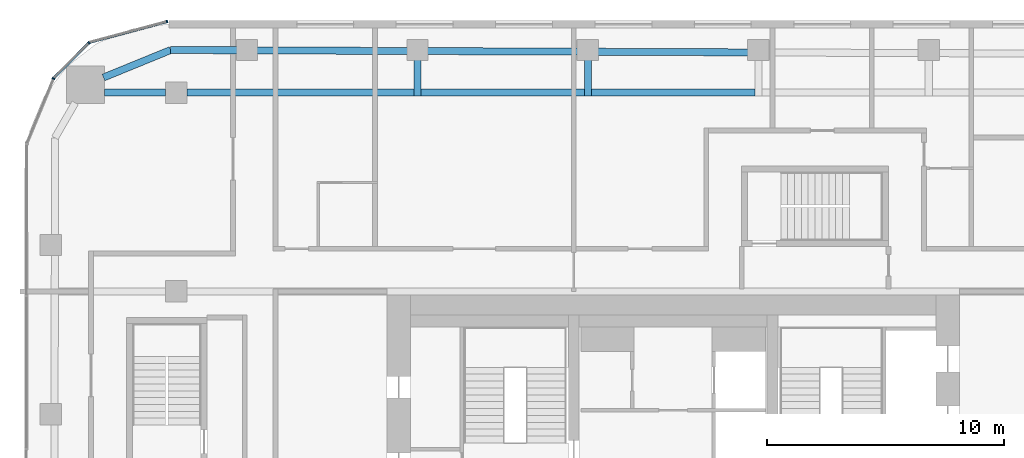
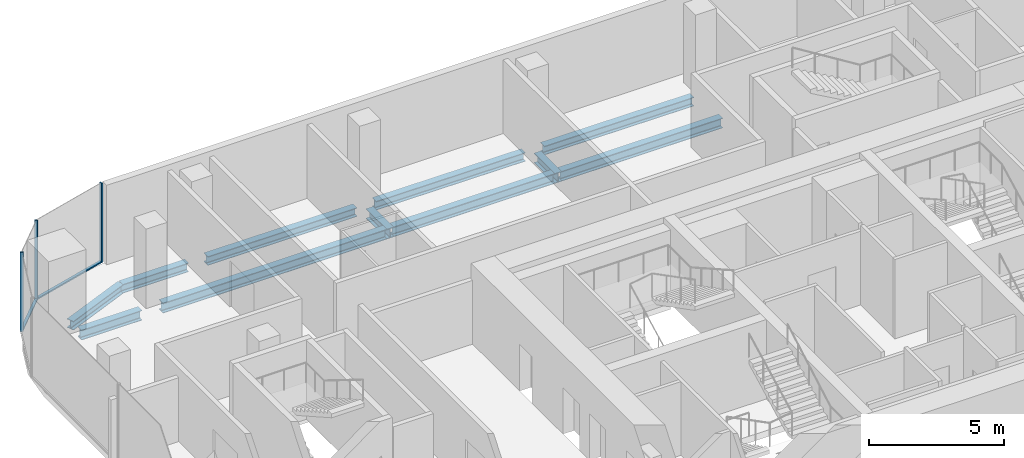
# One storey, part 10 of 23: 11 beams, 5 members, 3 elements without a shape of their own.
"""IFC4 building model written with IfcOpenShell, lengths in metres."""

import ifcopenshell
import ifcopenshell.guid

model = None  # the IFC model being written
_history = None  # IfcOwnerHistory: only IFC2X3 demands one
_inside = {}  # id of a spatial element -> (the spatial element, [elements in it])
_under = {}  # id of a project, library or spatial element -> (it, [spatial elements below it])
_declared = {}  # id of a project -> (the project, [libraries it declares])
_typed = {}  # id of a type object -> (the type object, [elements of that type])
_made_of = {}  # id of a material, layer set ... -> (it, [elements and type objects made of it])


def new_model(schema):
    """Start an empty IFC model of exactly this schema.

    Asked for "IFC4X3", IfcOpenShell would pick the latest addendum, in which some entities
    have other attributes; the version numbers below select the first issue.
    IFC2X3 requires an IfcOwnerHistory on every rooted entity: one is made here for all.
    """
    global model, _history
    if schema == "IFC4X3":
        model = ifcopenshell.file(schema_version=(4, 3, 0, 0))
    else:
        model = ifcopenshell.file(schema=schema)
    _inside.clear()
    _under.clear()
    _declared.clear()
    _typed.clear()
    _made_of.clear()
    _history = None
    if model.schema == "IFC2X3":
        org = make("IfcOrganization", Name="unknown")
        user = make(
            "IfcPersonAndOrganization",
            ThePerson=make("IfcPerson", FamilyName="unknown"),
            TheOrganization=org,
        )
        app = make(
            "IfcApplication",
            ApplicationDeveloper=org,
            Version="unknown",
            ApplicationFullName="unknown",
            ApplicationIdentifier="unknown",
        )
        _history = make(
            "IfcOwnerHistory",
            OwningUser=user,
            OwningApplication=app,
            ChangeAction="ADDED",
            CreationDate=0,
        )
    return model


def make(cls, **values):
    """One entity of the class cls with the attributes given. An attribute that is None is left unset."""
    return model.create_entity(
        cls, **{name: value for name, value in values.items() if value is not None}
    )


def rooted(cls, **values):
    """An entity with a GlobalId (a new one), such as an element, a storey or a relation."""
    return make(cls, GlobalId=ifcopenshell.guid.new(), OwnerHistory=_history, **values)


def si_unit(unit_type, name, prefix=None):
    """IfcSIUnit, for example si_unit("LENGTHUNIT", "METRE", prefix="MILLI")."""
    return make("IfcSIUnit", UnitType=unit_type, Prefix=prefix, Name=name)


def assignment(units):
    """IfcUnitAssignment: the units of a project."""
    return None if units is None else make("IfcUnitAssignment", Units=units)


def point(xyz):
    """IfcCartesianPoint."""
    return None if xyz is None else make("IfcCartesianPoint", Coordinates=xyz)


def direction(xyz):
    """IfcDirection."""
    return None if xyz is None else make("IfcDirection", DirectionRatios=xyz)


def frame(location, z_axis=None, x_axis=None):
    """IfcAxis2Placement3D, a coordinate frame: its origin and axes. An axis left out is left unset."""
    return make(
        "IfcAxis2Placement3D",
        Location=point(location),
        Axis=direction(z_axis),
        RefDirection=direction(x_axis),
    )


def frame_2d(location, x_axis=None):
    """IfcAxis2Placement2D, a coordinate frame in the plane: its origin and x axis."""
    return make(
        "IfcAxis2Placement2D", Location=point(location), RefDirection=direction(x_axis)
    )


def origin():
    """The frame at (0, 0, 0) with its axes left unset."""
    return frame((0.0, 0.0, 0.0))


def origin_2d():
    """The frame at (0, 0) in the plane with its x axis left unset."""
    return frame_2d((0.0, 0.0))


def place(relative_to, where):
    """IfcLocalPlacement: puts the frame where relative to a parent placement (None: the world)."""
    return make(
        "IfcLocalPlacement", PlacementRelTo=relative_to, RelativePlacement=where
    )


def context(
    kind, dimensions, precision=None, world=None, true_north=None, identifier=None
):
    """IfcGeometricRepresentationContext, for example the 3D "Model" context."""
    return make(
        "IfcGeometricRepresentationContext",
        ContextIdentifier=identifier,
        ContextType=kind,
        CoordinateSpaceDimension=dimensions,
        Precision=precision,
        WorldCoordinateSystem=world,
        TrueNorth=true_north,
    )


def subcontext(parent, identifier, kind, view, scale=None):
    """IfcGeometricRepresentationSubContext, for example "Body" below "Model"."""
    return make(
        "IfcGeometricRepresentationSubContext",
        ContextIdentifier=identifier,
        ContextType=kind,
        ParentContext=parent,
        TargetScale=scale,
        TargetView=view,
    )


def project(units=None, contexts=None):
    """IfcProject with its units and contexts."""
    return rooted(
        "IfcProject",
        Name="project",
        RepresentationContexts=contexts,
        UnitsInContext=assignment(units),
    )


def spatial(cls, under=None, at=None, **own):
    """A site, building, storey or space (cls), placed at a placement, below another one or the project."""
    s = rooted(cls, ObjectPlacement=at, **own)
    if under is not None:
        _under.setdefault(under.id(), (under, []))[1].append(s)
    return s


def profile(cls, at=None, kind="AREA", **sizes):
    """A parametric profile (cls). Its sizes go by their IFC names, for example OverallWidth=200.0."""
    return make(cls, ProfileType=kind, Position=at, **sizes)


def rectangle(**sizes):
    """IfcRectangleProfileDef."""
    return profile("IfcRectangleProfileDef", **sizes)


def i_section(**sizes):
    """IfcIShapeProfileDef."""
    return profile("IfcIShapeProfileDef", **sizes)


def extrude(swept, where, along, depth):
    """IfcExtrudedAreaSolid: the profile swept, set in the frame where, extruded along a direction by depth."""
    return make(
        "IfcExtrudedAreaSolid",
        SweptArea=swept,
        Position=where,
        ExtrudedDirection=direction(along),
        Depth=depth,
    )


def shape(context_of_items, identifier, shape_type, items):
    """IfcShapeRepresentation: the items that make up one representation, for example the "Body"."""
    return make(
        "IfcShapeRepresentation",
        ContextOfItems=context_of_items,
        RepresentationIdentifier=identifier,
        RepresentationType=shape_type,
        Items=items,
    )


def material(Name=None, Category=None):
    """IfcMaterial."""
    return make("IfcMaterial", Name=Name, Category=Category)


def layer(
    of_material, thickness, ventilated=None, Name=None, Category=None, Priority=None
):
    """IfcMaterialLayer: one layer of a wall or slab, of a material (None: an air gap)."""
    return make(
        "IfcMaterialLayer",
        Material=of_material,
        LayerThickness=thickness,
        IsVentilated=ventilated,
        Name=Name,
        Category=Category,
        Priority=Priority,
    )


def layer_set(layers, Name=None):
    """IfcMaterialLayerSet."""
    return make("IfcMaterialLayerSet", MaterialLayers=layers, LayerSetName=Name)


def material_profile(
    of_material, cross_section, Name=None, Category=None, Priority=None
):
    """IfcMaterialProfile: a cross section and its material."""
    return make(
        "IfcMaterialProfile",
        Name=Name,
        Material=of_material,
        Profile=cross_section,
        Priority=Priority,
        Category=Category,
    )


def profile_set(profiles, Name=None, composite=None):
    """IfcMaterialProfileSet."""
    return make(
        "IfcMaterialProfileSet",
        Name=Name,
        MaterialProfiles=profiles,
        CompositeProfile=composite,
    )


def made_of(thing, what):
    """Note that an element or type object is made of a material, layer set ...; save() writes the relation."""
    if what is not None:
        _made_of.setdefault(what.id(), (what, []))[1].append(thing)
    return thing


def type_object(cls, material=None, **own):
    """A type object (cls), such as IfcWallType, which elements share."""
    return made_of(rooted(cls, **own), material)


def element(
    cls,
    number,
    at=None,
    inside=None,
    cuts=None,
    type_object=None,
    material=None,
    context=None,
    identifier="Body",
    shape_type=None,
    held_by="IfcProductDefinitionShape",
    body=None,
    shapes=None,
    **own,
):
    """One element of the class cls, such as IfcWall. Its Tag is "e" and its number.

    at: its placement. inside: the storey or other place that contains it. cuts: it is an
    opening in that element (IfcRelVoidsElement). A single representation is given by context,
    identifier, shape_type and body (its items); several are given by shapes. held_by: the class
    of the entity that holds the representations. save() writes the other relations.
    """
    e = rooted(cls, Tag="e%d" % number, ObjectPlacement=at, **own)
    if body is not None:
        shapes = [shape(context, identifier, shape_type, body)]
    if shapes is not None:
        e.Representation = make(held_by, Representations=shapes)
    if inside is not None:
        _inside.setdefault(inside.id(), (inside, []))[1].append(e)
    if cuts is not None:
        rooted(
            "IfcRelVoidsElement", RelatingBuildingElement=cuts, RelatedOpeningElement=e
        )
    if type_object is not None:
        _typed.setdefault(type_object.id(), (type_object, []))[1].append(e)
    return made_of(e, material)


def aggregate(whole, parts):
    """IfcRelAggregates: a whole, such as a stair, and the parts it consists of."""
    return rooted("IfcRelAggregates", RelatingObject=whole, RelatedObjects=parts)


def save(model, path):
    """Write the relations noted so far, then the file.

    IfcRelAggregates (storeys below a building ...), IfcRelContainedInSpatialStructure (elements
    in a storey), IfcRelDefinesByType, IfcRelAssociatesMaterial and IfcRelDeclares: one each for
    every whole, place, type object, material and project.
    """
    for whole, parts in _under.values():
        aggregate(whole, parts)
    for where, things in _inside.values():
        rooted(
            "IfcRelContainedInSpatialStructure",
            RelatedElements=things,
            RelatingStructure=where,
        )
    for kind, things in _typed.values():
        rooted("IfcRelDefinesByType", RelatedObjects=things, RelatingType=kind)
    for what, things in _made_of.values():
        rooted("IfcRelAssociatesMaterial", RelatedObjects=things, RelatingMaterial=what)
    for by, libraries in _declared.values():
        rooted("IfcRelDeclares", RelatingContext=by, RelatedDefinitions=libraries)
    model.write(path)


model = new_model("IFC4")

# Units and contexts
model_context = context("Model", 3, precision=1e-05, world=origin(), true_north=direction((0.0, 1.0)))
body_context = subcontext(model_context, "Body", "Model", "MODEL_VIEW")
ifc_project = project(units=[si_unit("LENGTHUNIT", "METRE"), si_unit("AREAUNIT", "SQUARE_METRE"), si_unit("VOLUMEUNIT", "CUBIC_METRE"), si_unit("PLANEANGLEUNIT", "RADIAN"), si_unit("MASSUNIT", "GRAM", prefix="KILO")], contexts=[model_context])

# Site, building, storey
site_placement = place(None, origin())
site = spatial("IfcSite", under=ifc_project, at=site_placement, CompositionType="ELEMENT")
building_placement = place(site_placement, origin())
building = spatial("IfcBuilding", under=site, at=building_placement, Name="Marenta Gate Hotel Tower", CompositionType="ELEMENT")
storey_placement = place(building_placement, frame((0.0, 0.0, 155.300048828125)))
storey = spatial("IfcBuildingStorey", under=building, at=storey_placement, Name="L36", CompositionType="ELEMENT", Elevation=155.300048828125)

# Beams
ifc_material_1 = material(Name="Steel S355", Category="steel")
ifc_material_profile_1 = material_profile(ifc_material_1, i_section(OverallWidth=0.300048828125, OverallDepth=0.39990234375, WebThickness=0.013427734375, FlangeThickness=0.02392578125, FilletRadius=0.027099609375, at=origin_2d()), Name="HEB 400")
ifc_profile_set_1 = profile_set([ifc_material_profile_1], Name="Steel S355")
beam_type_1 = type_object("IfcBeamType", Name="Edge beam HEB 400", PredefinedType="SPANDREL", material=ifc_profile_set_1)
beam_1_placement = place(storey_placement, frame((-24.072509765625, 25.839111328125, -0.4599609375), z_axis=(0.925565978946, 0.378586342356, 0.0), x_axis=(-0.378586342356, 0.925565978946, 0.0)))
element("IfcBeam", 1, at=beam_1_placement, inside=storey, type_object=beam_type_1, Name="L36-EB-12", PredefinedType="SPANDREL", context=body_context, shape_type="SweptSolid", body=[
    extrude(i_section(OverallWidth=0.300048828125, OverallDepth=0.39990234375, WebThickness=0.013427734375, FlangeThickness=0.02392578125, FilletRadius=0.027099609375, at=origin_2d()), origin(), (0.0, 0.0, 1.0), 3.06640625),
])
beam_2_placement = place(storey_placement, frame((-21.234375, 27.0, -0.4599609375), z_axis=(0.999991706293, -0.004072756516, 0.0), x_axis=(0.004072756516, 0.999991706293, 0.0)))
element("IfcBeam", 2, at=beam_2_placement, inside=storey, type_object=beam_type_1, Name="L36-EB-13", PredefinedType="SPANDREL", context=body_context, shape_type="SweptSolid", body=[
    extrude(i_section(OverallWidth=0.300048828125, OverallDepth=0.39990234375, WebThickness=0.013427734375, FlangeThickness=0.02392578125, FilletRadius=0.027099609375, at=origin_2d()), origin(), (0.0, 0.0, 1.0), 2.8173828125),
])
beam_3_placement = place(storey_placement, frame((-17.596923828125, 26.985107421875, -0.4599609375), z_axis=(0.999991780748, -0.00405443424, 0.0), x_axis=(0.00405443424, 0.999991780748, 0.0)))
element("IfcBeam", 3, at=beam_3_placement, inside=storey, type_object=beam_type_1, Name="L36-EB-14", PredefinedType="SPANDREL", context=body_context, shape_type="SweptSolid", body=[
    extrude(i_section(OverallWidth=0.300048828125, OverallDepth=0.39990234375, WebThickness=0.013427734375, FlangeThickness=0.02392578125, FilletRadius=0.027099609375, at=origin_2d()), origin(), (0.0, 0.0, 1.0), 6.3828125),
])
beam_4_placement = place(storey_placement, frame((-10.39404296875, 26.955810546875, -0.4599609375), z_axis=(0.999991624297, -0.004092839529, 0.0), x_axis=(0.004092839529, 0.999991624297, 0.0)))
element("IfcBeam", 4, at=beam_4_placement, inside=storey, type_object=beam_type_1, Name="L36-EB-15", PredefinedType="SPANDREL", context=body_context, shape_type="SweptSolid", body=[
    extrude(i_section(OverallWidth=0.300048828125, OverallDepth=0.39990234375, WebThickness=0.013427734375, FlangeThickness=0.02392578125, FilletRadius=0.027099609375, at=origin_2d()), origin(), (0.0, 0.0, 1.0), 6.382568359375),
])
beam_5_placement = place(storey_placement, frame((-3.19140625, 26.926513671875, -0.4599609375), z_axis=(0.999991624938, -0.004092682982, 0.0), x_axis=(0.004092682982, 0.999991624938, 0.0)))
element("IfcBeam", 5, at=beam_5_placement, inside=storey, type_object=beam_type_1, Name="L36-EB-16", PredefinedType="SPANDREL", context=body_context, shape_type="SweptSolid", body=[
    extrude(i_section(OverallWidth=0.300048828125, OverallDepth=0.39990234375, WebThickness=0.013427734375, FlangeThickness=0.02392578125, FilletRadius=0.027099609375, at=origin_2d()), origin(), (0.0, 0.0, 1.0), 6.3828125),
])
ifc_material_2 = material(Name="Steel S355", Category="steel")
ifc_material_profile_2 = material_profile(ifc_material_2, i_section(OverallWidth=0.300048828125, OverallDepth=0.449951171875, WebThickness=0.013916015625, FlangeThickness=0.02587890625, FilletRadius=0.027099609375, at=origin_2d()), Name="HEB 450")
ifc_profile_set_2 = profile_set([ifc_material_profile_2], Name="Steel S355")
beam_type_2 = type_object("IfcBeamType", Name="Girder HEB 450", PredefinedType="BEAM", material=ifc_profile_set_2)
beam_6_placement = place(storey_placement, frame((-24.035400390625, 25.199951171875, -0.485107421875), z_axis=(1.0, 0.0, 0.0), x_axis=(0.0, 1.0, 0.0)))
element("IfcBeam", 6, at=beam_6_placement, inside=storey, type_object=beam_type_2, Name="L36-GD-29", PredefinedType="BEAM", context=body_context, shape_type="SweptSolid", body=[
    extrude(i_section(OverallWidth=0.300048828125, OverallDepth=0.449951171875, WebThickness=0.013916015625, FlangeThickness=0.02587890625, FilletRadius=0.027099609375, at=origin_2d()), origin(), (0.0, 0.0, 1.0), 2.58544921875),
])
beam_7_placement = place(storey_placement, frame((-20.550048828125, 25.199951171875, -0.485107421875), z_axis=(1.0, 0.0, 0.0), x_axis=(0.0, 1.0, 0.0)))
element("IfcBeam", 7, at=beam_7_placement, inside=storey, type_object=beam_type_2, Name="L36-GD-30", PredefinedType="BEAM", context=body_context, shape_type="SweptSolid", body=[
    extrude(i_section(OverallWidth=0.300048828125, OverallDepth=0.449951171875, WebThickness=0.013916015625, FlangeThickness=0.02587890625, FilletRadius=0.027099609375, at=origin_2d()), origin(), (0.0, 0.0, 1.0), 9.595947265625),
])
beam_8_placement = place(storey_placement, frame((-10.654052734375, 25.199951171875, -0.485107421875), z_axis=(1.0, 0.0, 0.0), x_axis=(0.0, 1.0, 0.0)))
element("IfcBeam", 8, at=beam_8_placement, inside=storey, type_object=beam_type_2, Name="L36-GD-31", PredefinedType="BEAM", context=body_context, shape_type="SweptSolid", body=[
    extrude(i_section(OverallWidth=0.300048828125, OverallDepth=0.449951171875, WebThickness=0.013916015625, FlangeThickness=0.02587890625, FilletRadius=0.027099609375, at=origin_2d()), origin(), (0.0, 0.0, 1.0), 6.902587890625),
])
beam_9_placement = place(storey_placement, frame((-3.451416015625, 25.199951171875, -0.485107421875), z_axis=(1.0, 0.0, 0.0), x_axis=(0.0, 1.0, 0.0)))
element("IfcBeam", 9, at=beam_9_placement, inside=storey, type_object=beam_type_2, Name="L36-GD-32", PredefinedType="BEAM", context=body_context, shape_type="SweptSolid", body=[
    extrude(i_section(OverallWidth=0.300048828125, OverallDepth=0.449951171875, WebThickness=0.013916015625, FlangeThickness=0.02587890625, FilletRadius=0.027099609375, at=origin_2d()), origin(), (0.0, 0.0, 1.0), 6.90283203125),
])
ifc_material_3 = material(Name="Steel S355", Category="steel")
ifc_material_profile_3 = material_profile(ifc_material_3, i_section(OverallWidth=0.300048828125, OverallDepth=0.449951171875, WebThickness=0.013916015625, FlangeThickness=0.02587890625, FilletRadius=0.027099609375, at=origin_2d()), Name="HEB 450")
ifc_profile_set_3 = profile_set([ifc_material_profile_3], Name="Steel S355")
beam_type_3 = type_object("IfcBeamType", Name="Girder bracket HEB 450", PredefinedType="BEAM", material=ifc_profile_set_3)
for number, where, z_axis, x_axis, name in (
    (10, (-10.80419921875, 25.050048828125, -0.485107421875), (0.0, 1.0, 0.0), (-1.0, 0.0, 0.0), "L36-GS-1"),
    (11, (-3.601318359375, 25.050048828125, -0.485107421875), (0.0, 1.0, 0.0), (-1.0, 0.0, 0.0), "L36-GS-2"),
):
    element("IfcBeam", number, at=place(storey_placement, frame(where, z_axis=z_axis, x_axis=x_axis)), inside=storey, type_object=beam_type_3, Name=name, PredefinedType="BEAM", context=body_context, shape_type="SweptSolid", body=[
        extrude(i_section(OverallWidth=0.300048828125, OverallDepth=0.449951171875, WebThickness=0.013916015625, FlangeThickness=0.02587890625, FilletRadius=0.027099609375, at=origin_2d()), origin(), (0.0, 0.0, 1.0), 1.5400390625),
    ])

# Curtain wall, member
ifc_material_4 = material(Name="Tinted insulated glass in bronze anodised frame", Category="glass")
ifc_layer = layer(ifc_material_4, 0.1201171875)
ifc_layer_set = layer_set([ifc_layer], Name="Tinted insulated glass in bronze anodised frame")
curtain_wall_type = type_object("IfcCurtainWallType", Name="Tower unitised curtain wall CW1", PredefinedType="NOTDEFINED", material=ifc_layer_set)
curtain_wall_1_placement = place(storey_placement, origin())
curtain_wall_1 = element("IfcCurtainWall", 12, at=curtain_wall_1_placement, inside=storey, type_object=curtain_wall_type, Name="CW1 run G00", PredefinedType="NOTDEFINED")
ifc_material_5 = material(Name="Bronze anodised aluminium", Category="aluminium")
ifc_material_profile_4 = material_profile(ifc_material_5, rectangle(XDim=0.1201171875, YDim=0.06005859375, at=origin_2d()), Name="Mullion CW1 60x120 bronze anodised aluminium")
ifc_profile_set_4 = profile_set([ifc_material_profile_4], Name="Bronze anodised aluminium")
member_type_1 = type_object("IfcMemberType", Name="Mullion CW1 60x120 bronze anodised aluminium", PredefinedType="MULLION", material=ifc_profile_set_4)
member_1_placement = place(storey_placement, frame((-21.385498046875, 28.203125, 0.0), z_axis=(0.0, 0.0, 1.0), x_axis=(0.258801234873, -0.96593059835, 0.0)))
member_1 = element("IfcMember", 13, at=member_1_placement, type_object=member_type_1, Name="CW1 mullion 1", PredefinedType="MULLION", context=body_context, shape_type="SweptSolid", body=[
    extrude(rectangle(XDim=0.1201171875, YDim=0.06005859375, at=origin_2d()), origin(), (0.0, 0.0, 1.0), 3.599853515625),
])

curtain_wall_2_placement = place(storey_placement, origin())
curtain_wall_2 = element("IfcCurtainWall", 14, at=curtain_wall_2_placement, inside=storey, type_object=curtain_wall_type, Name="CW1 run G01", PredefinedType="NOTDEFINED")
member_2_placement = place(storey_placement, frame((-24.68798828125, 27.302978515625, 0.0), z_axis=(0.0, 0.0, 1.0), x_axis=(0.707106781187, -0.707106781187, 0.0)))
member_2 = element("IfcMember", 15, at=member_2_placement, type_object=member_type_1, Name="CW1 mullion 1", PredefinedType="MULLION", context=body_context, shape_type="SweptSolid", body=[
    extrude(rectangle(XDim=0.1201171875, YDim=0.06005859375, at=origin_2d()), origin(), (0.0, 0.0, 1.0), 3.599853515625),
])

curtain_wall_3_placement = place(storey_placement, origin())
curtain_wall_3 = element("IfcCurtainWall", 16, at=curtain_wall_3_placement, inside=storey, type_object=curtain_wall_type, Name="CW1 run G02", PredefinedType="NOTDEFINED")
member_3_placement = place(storey_placement, frame((-26.183837890625, 25.790771484375, 0.0), z_axis=(0.0, 0.0, 1.0), x_axis=(0.923884278178, -0.382671975111, 0.0)))
member_3 = element("IfcMember", 17, at=member_3_placement, type_object=member_type_1, Name="CW1 mullion 1", PredefinedType="MULLION", context=body_context, shape_type="SweptSolid", body=[
    extrude(rectangle(XDim=0.1201171875, YDim=0.06005859375, at=origin_2d()), origin(), (0.0, 0.0, 1.0), 3.599853515625),
])
aggregate(curtain_wall_3, [member_3])

# Member
ifc_material_6 = material(Name="Bronze anodised aluminium", Category="aluminium")
ifc_material_profile_5 = material_profile(ifc_material_6, rectangle(XDim=0.1201171875, YDim=0.06005859375, at=origin_2d()), Name="Transom CW1 60x120 bronze anodised aluminium")
ifc_profile_set_5 = profile_set([ifc_material_profile_5], Name="Bronze anodised aluminium")
member_type_2 = type_object("IfcMemberType", Name="Transom CW1 60x120 bronze anodised aluminium", PredefinedType="USERDEFINED", material=ifc_profile_set_5)
member_4_placement = place(storey_placement, frame((-21.41455078125, 28.195556640625, 0.030029296875), z_axis=(-0.965932192411, -0.258795285243, 0.0), x_axis=(0.258795285243, -0.965932192411, 0.0)))
member_4 = element("IfcMember", 18, at=member_4_placement, type_object=member_type_2, Name="CW1 transom 1.1", ObjectType="TRANSOM", PredefinedType="USERDEFINED", context=body_context, shape_type="SweptSolid", body=[
    extrude(rectangle(XDim=0.1201171875, YDim=0.06005859375, at=origin_2d()), origin(), (0.0, 0.0, 1.0), 3.366943359375),
])

aggregate(curtain_wall_1, [member_1, member_4])

member_5_placement = place(storey_placement, frame((-24.709228515625, 27.28173828125, 0.030029296875), z_axis=(-0.707106781187, -0.707106781187, 0.0), x_axis=(0.707106781187, -0.707106781187, 0.0)))
member_5 = element("IfcMember", 19, at=member_5_placement, type_object=member_type_2, Name="CW1 transom 1.1", ObjectType="TRANSOM", PredefinedType="USERDEFINED", context=body_context, shape_type="SweptSolid", body=[
    extrude(rectangle(XDim=0.1201171875, YDim=0.06005859375, at=origin_2d()), origin(), (0.0, 0.0, 1.0), 2.069091796875),
])

aggregate(curtain_wall_2, [member_2, member_5])

save(model, "model.ifc")
